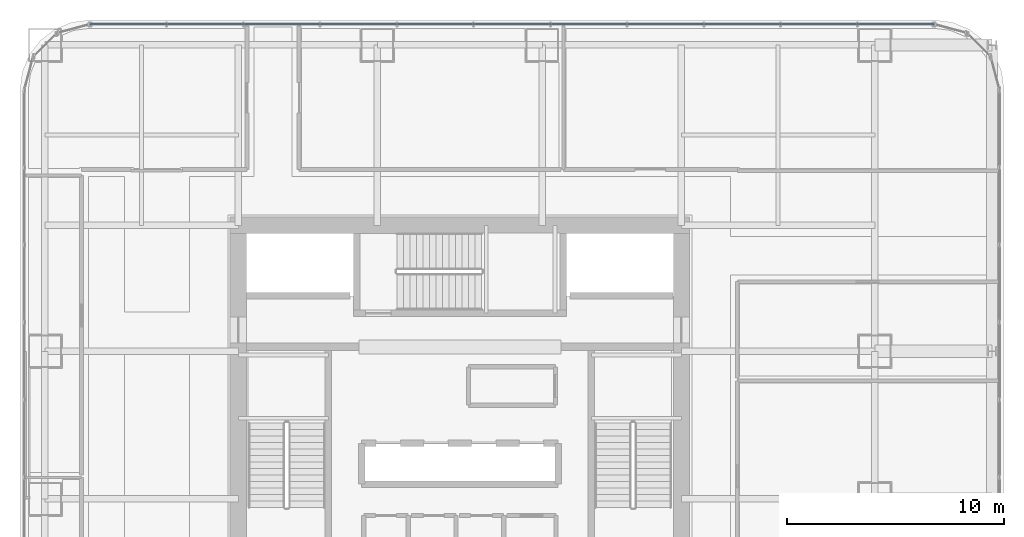
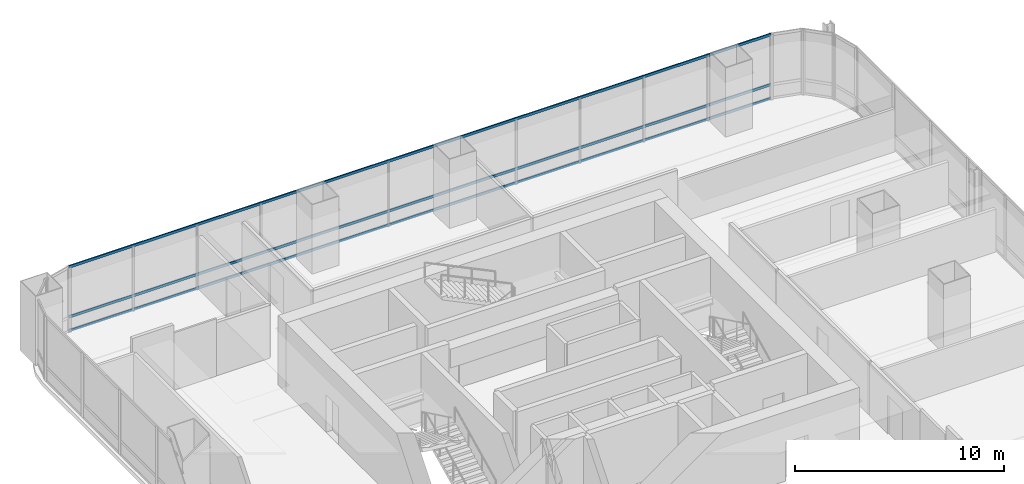
# One storey, part 21 of 35: 3 members, 1 element without a shape of its own.
"""IFC4 building model written with IfcOpenShell, lengths in metres."""

from ifc_helpers import new_model, si_unit, direction, frame, origin, origin_2d, place, context, subcontext, project, spatial, hollow_rectangle, extrude, material, material_profile, profile_set, type_object, element, aggregate, save


model = new_model("IFC4")

# Units and contexts
model_context = context("Model", 3, precision=1e-05, world=origin(), true_north=direction((0.0, 1.0)))
body_context = subcontext(model_context, "Body", "Model", "MODEL_VIEW")
ifc_project = project(units=[si_unit("LENGTHUNIT", "METRE"), si_unit("AREAUNIT", "SQUARE_METRE"), si_unit("VOLUMEUNIT", "CUBIC_METRE"), si_unit("PLANEANGLEUNIT", "RADIAN"), si_unit("MASSUNIT", "GRAM", prefix="KILO")], contexts=[model_context])

# Site, building, storey
site_placement = place(None, origin())
site = spatial("IfcSite", under=ifc_project, at=site_placement, CompositionType="ELEMENT")
building_placement = place(site_placement, origin())
building = spatial("IfcBuilding", under=site, at=building_placement, Name="Punatoya Terracotta Tower", CompositionType="ELEMENT")
storey_placement = place(building_placement, frame((0.0, 0.0, 64.64990234375)))
storey = spatial("IfcBuildingStorey", under=building, at=storey_placement, Name="L14", CompositionType="ELEMENT", Elevation=64.64990234375)

# Curtain wall, members
ifc_material_1 = material(Name="Aluminium 6063-T6 + Double Low-E Glass", Category="aluminium")
curtain_wall_type = type_object("IfcCurtainWallType", Name="CW-M1", PredefinedType="NOTDEFINED", material=ifc_material_1)
curtain_wall_placement = place(storey_placement, origin())
curtain_wall = element("IfcCurtainWall", 1, at=curtain_wall_placement, inside=storey, type_object=curtain_wall_type, Name="L14 Curtain Wall CW-L14-N09-1", PredefinedType="NOTDEFINED")
ifc_material_2 = material(Name="Aluminium 6063-T6", Category="aluminium")
ifc_material_profile = material_profile(ifc_material_2, hollow_rectangle(XDim=0.068115234375, YDim=0.14990234375, WallThickness=0.00390625, at=origin_2d()))
ifc_profile_set = profile_set([ifc_material_profile], Name="Aluminium 6063-T6")
member_type = type_object("IfcMemberType", Name="CW-TRN-TYP", PredefinedType="USERDEFINED", material=ifc_profile_set)
member_1_placement = place(storey_placement, frame((21.8369140625, 18.449951171875, 0.0400390625), z_axis=(-1.0, 0.0, 0.0), x_axis=(0.0, -1.0, 0.0)))
member_1 = element("IfcMember", 2, at=member_1_placement, type_object=member_type, Name="CW-L14-N09-1 Transom 1", ObjectType="TRANSOM", PredefinedType="USERDEFINED", context=body_context, shape_type="SweptSolid", body=[
    extrude(hollow_rectangle(XDim=0.068115234375, YDim=0.14990234375, WallThickness=0.00390625, at=origin_2d()), origin(), (0.0, 0.0, 1.0), 38.873779296875),
])
member_2_placement = place(storey_placement, frame((21.8369140625, 18.449951171875, 0.85009765625), z_axis=(-1.0, 0.0, 0.0), x_axis=(0.0, -1.0, 0.0)))
member_2 = element("IfcMember", 3, at=member_2_placement, type_object=member_type, Name="CW-L14-N09-1 Transom 2", ObjectType="TRANSOM", PredefinedType="USERDEFINED", context=body_context, shape_type="SweptSolid", body=[
    extrude(hollow_rectangle(XDim=0.068115234375, YDim=0.14990234375, WallThickness=0.00390625, at=origin_2d()), origin(), (0.0, 0.0, 1.0), 38.873779296875),
])
member_3_placement = place(storey_placement, frame((21.8369140625, 18.449951171875, 3.77001953125), z_axis=(-1.0, 0.0, 0.0), x_axis=(0.0, -1.0, 0.0)))
member_3 = element("IfcMember", 4, at=member_3_placement, type_object=member_type, Name="CW-L14-N09-1 Transom 3", ObjectType="TRANSOM", PredefinedType="USERDEFINED", context=body_context, shape_type="SweptSolid", body=[
    extrude(hollow_rectangle(XDim=0.068115234375, YDim=0.14990234375, WallThickness=0.00390625, at=origin_2d()), origin(), (0.0, 0.0, 1.0), 38.873779296875),
])
aggregate(curtain_wall, [member_1, member_2, member_3])

save(model, "model.ifc")
